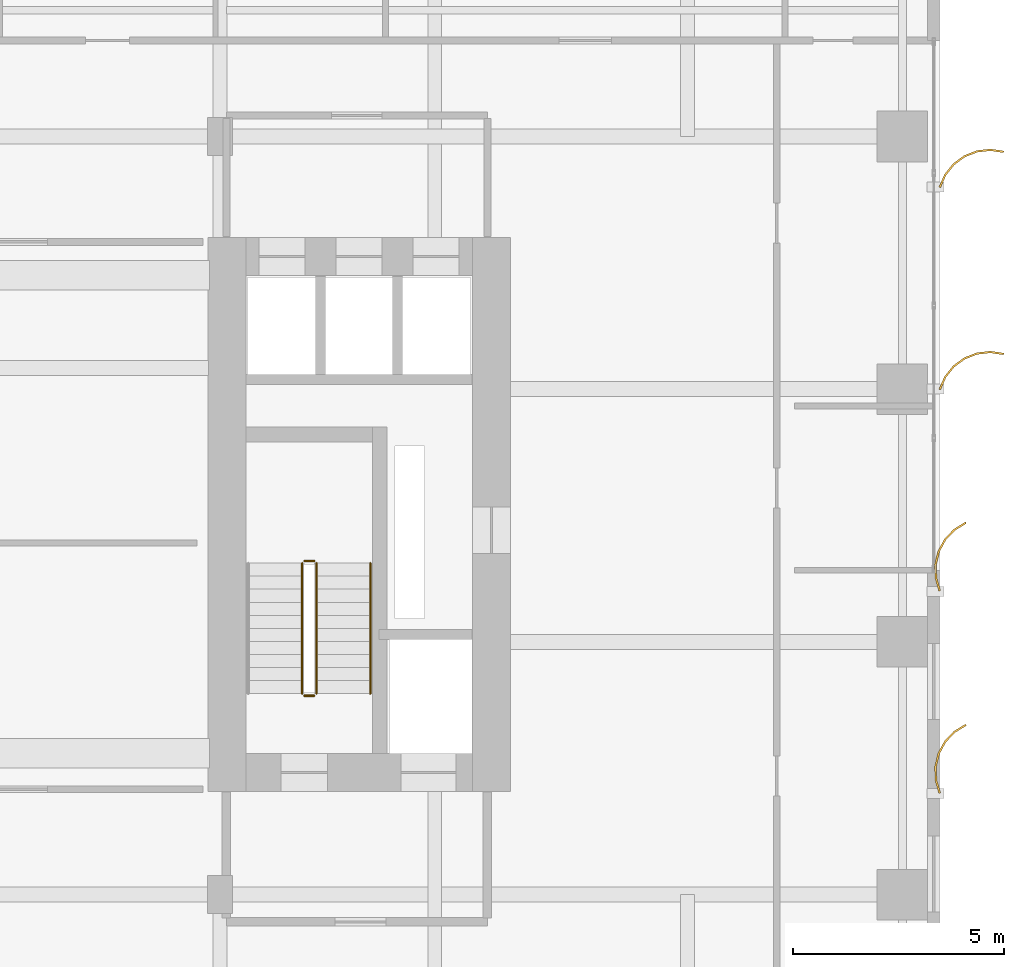
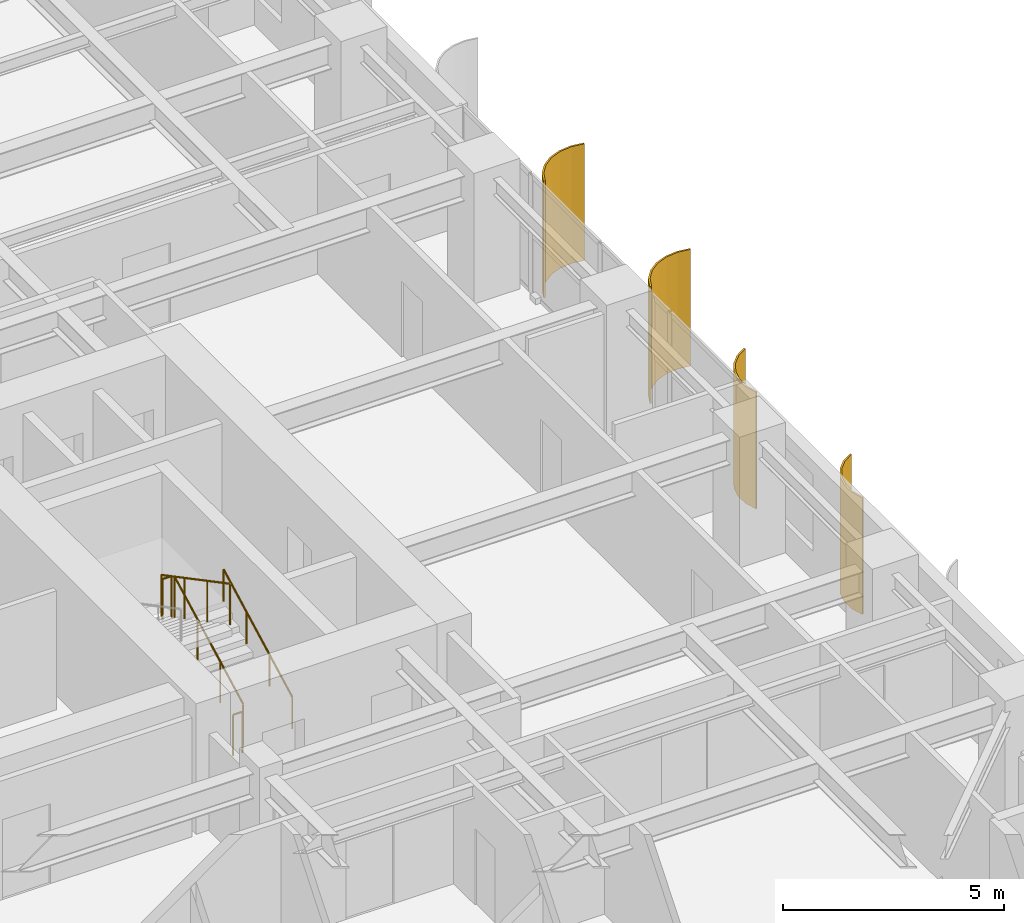
# One storey, part 22 of 23: 5 railings, 4 shading devices.
"""IFC4 building model written with IfcOpenShell, lengths in metres."""

from ifc_helpers import new_model, si_unit, direction, frame, origin, origin_2d, place, context, subcontext, project, spatial, polyline, circle, outline, extrude, source, transform, mapped, material, layer, layer_set, type_object, element, save


model = new_model("IFC4")

# Units and contexts
model_context = context("Model", 3, precision=1e-05, world=origin(), true_north=direction((0.0, 1.0)))
body_context = subcontext(model_context, "Body", "Model", "MODEL_VIEW")
ifc_project = project(units=[si_unit("LENGTHUNIT", "METRE"), si_unit("AREAUNIT", "SQUARE_METRE"), si_unit("VOLUMEUNIT", "CUBIC_METRE"), si_unit("PLANEANGLEUNIT", "RADIAN"), si_unit("MASSUNIT", "GRAM", prefix="KILO")], contexts=[model_context])

# Site, building, storey
site_placement = place(None, origin())
site = spatial("IfcSite", under=ifc_project, at=site_placement, CompositionType="ELEMENT")
building_placement = place(site_placement, origin())
building = spatial("IfcBuilding", under=site, at=building_placement, Name="Khoralis Quay Care Tower", CompositionType="ELEMENT")
storey_placement = place(building_placement, frame((0.0, 0.0, 72.89990234375)))
storey = spatial("IfcBuildingStorey", under=building, at=storey_placement, Name="L19", CompositionType="ELEMENT", Elevation=72.89990234375)

# Railings
ifc_material_1 = material(Name="Brushed stainless steel", Category="steel")
railing_type_1 = type_object("IfcRailingType", Name="RL-GUARD-1150", PredefinedType="GUARDRAIL", material=ifc_material_1)
railing_1_placement = place(storey_placement, frame((33.18994140625, 16.77001953125, 0.163818359375)))
element("IfcRailing", 1, at=railing_1_placement, inside=storey, type_object=railing_type_1, Name="L19 ST-T2 stair guard 1", PredefinedType="GUARDRAIL", context=body_context, shape_type="SweptSolid", body=[
    extrude(circle(Radius=0.02392578125, at=origin_2d()), frame((0.0, 0.0, 1.1259765625), z_axis=(0.0, 0.884376766648, 0.46677375099), x_axis=(-1.0, 0.0, 0.0)), (0.0, 0.0, 1.0), 3.50537109375),
    extrude(circle(Radius=0.02099609375, at=origin_2d()), origin(), (0.0, 0.0, 1.0), 1.101806640625),
    extrude(circle(Radius=0.02099609375, at=origin_2d()), frame((0.0, 1.033447265625, 0.54541015625)), (0.0, 0.0, 1.0), 1.101806640625),
    extrude(circle(Radius=0.02099609375, at=origin_2d()), frame((0.0, 2.066650390625, 1.0908203125)), (0.0, 0.0, 1.0), 1.101806640625),
    extrude(circle(Radius=0.02099609375, at=origin_2d()), frame((0.0, 3.10009765625, 1.63623046875)), (0.0, 0.0, 1.0), 1.101806640625),
])
railing_2_placement = place(storey_placement, frame((33.139892578125, 19.919921875, 1.800048828125)))
element("IfcRailing", 2, at=railing_2_placement, inside=storey, type_object=railing_type_1, Name="L19 ST-T2 stair guard 2", PredefinedType="GUARDRAIL", context=body_context, shape_type="SweptSolid", body=[
    extrude(circle(Radius=0.02392578125, at=origin_2d()), frame((0.0, 0.0, 1.1259765625), z_axis=(-1.0, 0.0, 0.0), x_axis=(0.0, -1.0, 0.0)), (0.0, 0.0, 1.0), 0.239990234375),
    extrude(circle(Radius=0.02099609375, at=origin_2d()), origin(), (0.0, 0.0, 1.0), 1.101806640625),
    extrude(circle(Radius=0.02099609375, at=origin_2d()), frame((-0.239990234375, 0.0, 0.0)), (0.0, 0.0, 1.0), 1.101806640625),
])
railing_3_placement = place(storey_placement, frame((32.85009765625, 19.8701171875, 1.963623046875)))
element("IfcRailing", 3, at=railing_3_placement, inside=storey, type_object=railing_type_1, Name="L19 ST-T2 stair guard 3", PredefinedType="GUARDRAIL", context=body_context, shape_type="SweptSolid", body=[
    extrude(circle(Radius=0.02392578125, at=origin_2d()), frame((0.0, 0.0, 1.1259765625), z_axis=(0.0, -0.884348015382, 0.466828220752), x_axis=(1.0, 0.0, 0.0)), (0.0, 0.0, 1.0), 3.505615234375),
    extrude(circle(Radius=0.02099609375, at=origin_2d()), origin(), (0.0, 0.0, 1.0), 1.101806640625),
    extrude(circle(Radius=0.02099609375, at=origin_2d()), frame((0.0, -1.033447265625, 0.54541015625)), (0.0, 0.0, 1.0), 1.101806640625),
    extrude(circle(Radius=0.02099609375, at=origin_2d()), frame((0.0, -2.066650390625, 1.091064453125)), (0.0, 0.0, 1.0), 1.101806640625),
    extrude(circle(Radius=0.02099609375, at=origin_2d()), frame((0.0, -3.10009765625, 1.636474609375)), (0.0, 0.0, 1.0), 1.101806640625),
])
railing_4_placement = place(storey_placement, frame((33.139892578125, 16.719970703125, 0.0)))
element("IfcRailing", 4, at=railing_4_placement, inside=storey, type_object=railing_type_1, Name="L19 ST-T2 stair guard 4", PredefinedType="GUARDRAIL", context=body_context, shape_type="SweptSolid", body=[
    extrude(circle(Radius=0.02392578125, at=origin_2d()), frame((0.0, 0.0, 1.1259765625), z_axis=(-1.0, 0.0, 0.0), x_axis=(0.0, -1.0, 0.0)), (0.0, 0.0, 1.0), 0.239990234375),
    extrude(circle(Radius=0.02099609375, at=origin_2d()), origin(), (0.0, 0.0, 1.0), 1.101806640625),
    extrude(circle(Radius=0.02099609375, at=origin_2d()), frame((-0.239990234375, 0.0, 0.0)), (0.0, 0.0, 1.0), 1.101806640625),
])
railing_type_2 = type_object("IfcRailingType", Name="RL-HAND-900", PredefinedType="HANDRAIL", material=ifc_material_1)
railing_5_placement = place(storey_placement, frame((34.469970703125, 16.77001953125, 0.163818359375)))
element("IfcRailing", 5, at=railing_5_placement, inside=storey, type_object=railing_type_2, Name="L19 ST-T2 stair handrail 1", PredefinedType="HANDRAIL", context=body_context, shape_type="SweptSolid", body=[
    extrude(circle(Radius=0.02392578125, at=origin_2d()), frame((0.0, 0.0, 0.8759765625), z_axis=(0.0, 0.884376766648, 0.46677375099), x_axis=(-1.0, 0.0, 0.0)), (0.0, 0.0, 1.0), 3.50537109375),
    extrude(circle(Radius=0.02099609375, at=origin_2d()), origin(), (0.0, 0.0, 1.0), 0.851806640625),
    extrude(circle(Radius=0.02099609375, at=origin_2d()), frame((0.0, 1.033447265625, 0.54541015625)), (0.0, 0.0, 1.0), 0.851806640625),
    extrude(circle(Radius=0.02099609375, at=origin_2d()), frame((0.0, 2.066650390625, 1.0908203125)), (0.0, 0.0, 1.0), 0.851806640625),
    extrude(circle(Radius=0.02099609375, at=origin_2d()), frame((0.0, 3.10009765625, 1.63623046875)), (0.0, 0.0, 1.0), 0.851806640625),
])

# Shading devices
ifc_material_2 = material(Name="Brushed pale anodised aluminium", Category="aluminium")
ifc_layer = layer(ifc_material_2, 0.044921875)
ifc_layer_set = layer_set([ifc_layer], Name="Brushed pale anodised aluminium")
shading_device_type = type_object("IfcShadingDeviceType", Name="SHD-FIN-1250", PredefinedType="USERDEFINED", material=ifc_layer_set)
shared_shape_1 = source(origin(), body_context, "Body", "SweptSolid", [
    extrude(outline(polyline([(0.0, 0.0), (-0.0927734375, 0.31298828125), (-0.101318359375, 0.63916015625), (-0.025146484375, 0.956298828125), (0.130615234375, 1.2431640625), (0.355224609375, 1.479736328125), (0.633544921875, 1.650390625), (0.65185546875, 1.609130859375), (0.383544921875, 1.44482421875), (0.1669921875, 1.216796875), (0.01708984375, 0.940185546875), (-0.056396484375, 0.63427734375), (-0.04833984375, 0.31982421875), (0.041015625, 0.018310546875), (0.0, 0.0)])), origin(), (0.0, 0.0, 1.0), 3.219970703125),
])
for number, where, z_axis, x_axis, name in (
    (6, (47.969970703125, 14.39990234375, 0.02001953125), (0.0, 0.0, 1.0), (1.0, 0.0, 0.0), "L19 Curved Solar Fin P1E5-02"),
    (7, (47.969970703125, 19.199951171875, 0.02001953125), (0.0, 0.0, 1.0), (1.0, 0.0, 0.0), "L19 Curved Solar Fin P1E5-03"),
):
    element("IfcShadingDevice", number, at=place(storey_placement, frame(where, z_axis=z_axis, x_axis=x_axis)), inside=storey, type_object=shading_device_type, Name=name, ObjectType="FIN", PredefinedType="USERDEFINED", context=body_context, shape_type="MappedRepresentation", body=[
        mapped(shared_shape_1, transform((0.0, 0.0, 0.0), scale=1.0)),
    ])
shared_shape_2 = source(origin(), body_context, "Body", "SweptSolid", [
    extrude(outline(polyline([(0.0, 0.0), (0.130126953125, 0.29931640625), (0.333251953125, 0.5546875), (0.595458984375, 0.748779296875), (0.899169921875, 0.868408203125), (1.223388671875, 0.9052734375), (1.546142578125, 0.85693359375), (1.53369140625, 0.813720703125), (1.22265625, 0.8603515625), (0.91015625, 0.82470703125), (0.617431640625, 0.70947265625), (0.364501953125, 0.522216796875), (0.168701171875, 0.276123046875), (0.043212890625, -0.012451171875), (0.0, 0.0)])), origin(), (0.0, 0.0, 1.0), 3.219970703125),
])
for number, where, z_axis, x_axis, name in (
    (8, (47.969970703125, 24.0, 0.02001953125), (0.0, 0.0, 1.0), (1.0, 0.0, 0.0), "L19 Curved Solar Fin P1E5-04"),
    (9, (47.969970703125, 28.800048828125, 0.02001953125), (0.0, 0.0, 1.0), (1.0, 0.0, 0.0), "L19 Curved Solar Fin P1E5-05"),
):
    element("IfcShadingDevice", number, at=place(storey_placement, frame(where, z_axis=z_axis, x_axis=x_axis)), inside=storey, type_object=shading_device_type, Name=name, ObjectType="FIN", PredefinedType="USERDEFINED", context=body_context, shape_type="MappedRepresentation", body=[
        mapped(shared_shape_2, transform((0.0, 0.0, 0.0), scale=1.0)),
    ])

save(model, "model.ifc")
